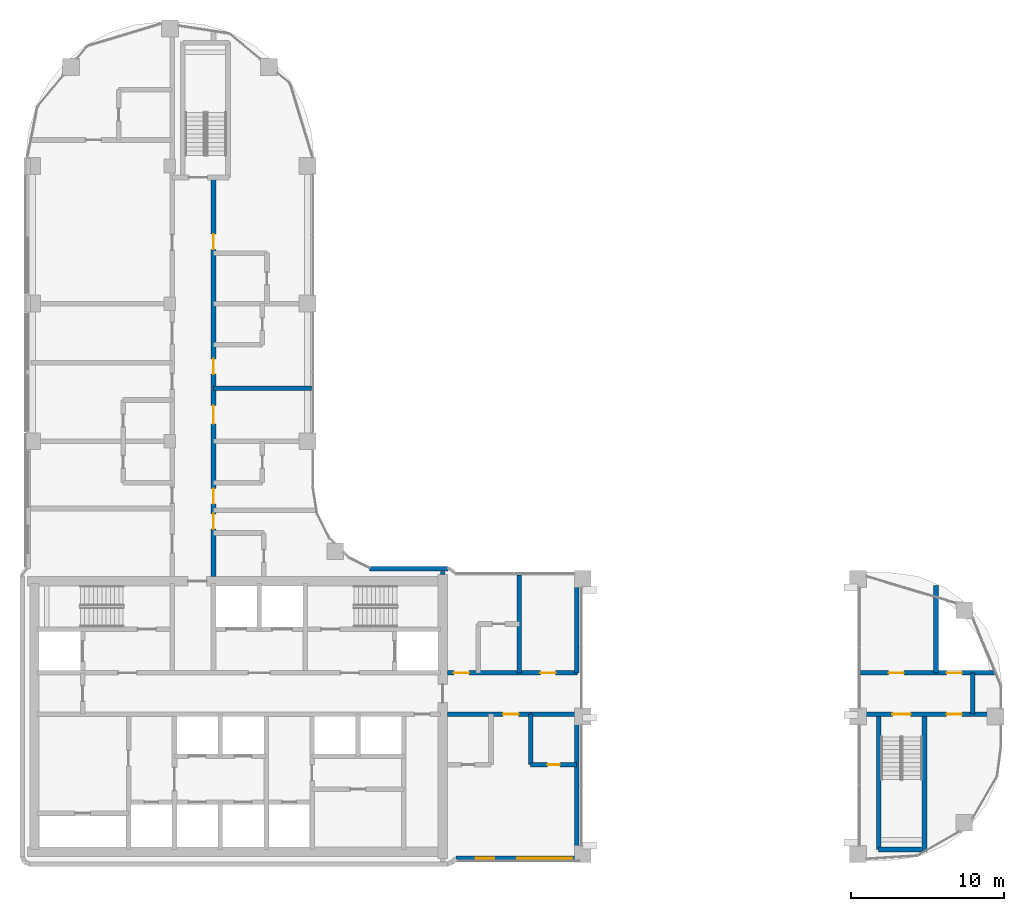
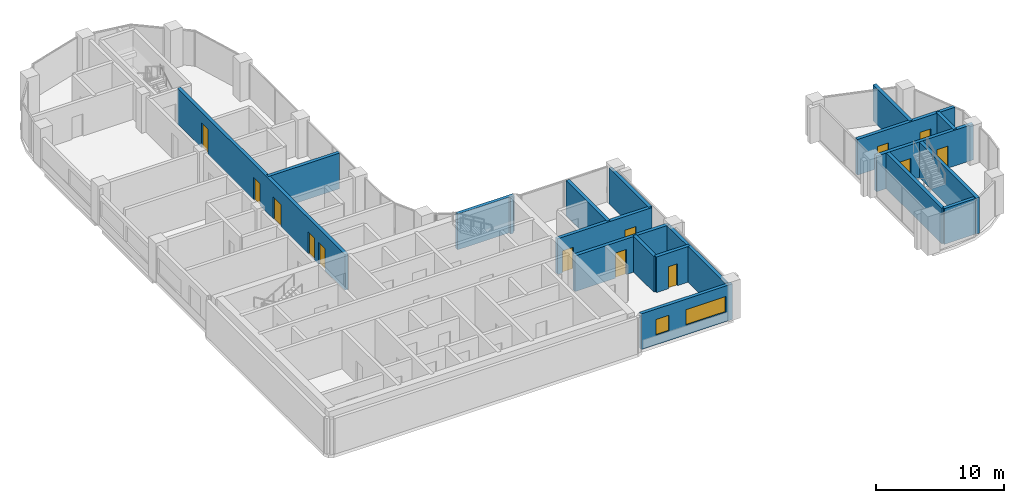
# One storey, part 12 of 21: 19 walls, 13 doors, 2 windows, 15 openings.
"""IFC4 building model written with IfcOpenShell, lengths in metres."""

import ifcopenshell
import ifcopenshell.guid

model = None  # the IFC model being written
_history = None  # IfcOwnerHistory: only IFC2X3 demands one
_inside = {}  # id of a spatial element -> (the spatial element, [elements in it])
_under = {}  # id of a project, library or spatial element -> (it, [spatial elements below it])
_declared = {}  # id of a project -> (the project, [libraries it declares])
_typed = {}  # id of a type object -> (the type object, [elements of that type])
_made_of = {}  # id of a material, layer set ... -> (it, [elements and type objects made of it])


def new_model(schema):
    """Start an empty IFC model of exactly this schema.

    Asked for "IFC4X3", IfcOpenShell would pick the latest addendum, in which some entities
    have other attributes; the version numbers below select the first issue.
    IFC2X3 requires an IfcOwnerHistory on every rooted entity: one is made here for all.
    """
    global model, _history
    if schema == "IFC4X3":
        model = ifcopenshell.file(schema_version=(4, 3, 0, 0))
    else:
        model = ifcopenshell.file(schema=schema)
    _inside.clear()
    _under.clear()
    _declared.clear()
    _typed.clear()
    _made_of.clear()
    _history = None
    if model.schema == "IFC2X3":
        org = make("IfcOrganization", Name="unknown")
        user = make(
            "IfcPersonAndOrganization",
            ThePerson=make("IfcPerson", FamilyName="unknown"),
            TheOrganization=org,
        )
        app = make(
            "IfcApplication",
            ApplicationDeveloper=org,
            Version="unknown",
            ApplicationFullName="unknown",
            ApplicationIdentifier="unknown",
        )
        _history = make(
            "IfcOwnerHistory",
            OwningUser=user,
            OwningApplication=app,
            ChangeAction="ADDED",
            CreationDate=0,
        )
    return model


def make(cls, **values):
    """One entity of the class cls with the attributes given. An attribute that is None is left unset."""
    return model.create_entity(
        cls, **{name: value for name, value in values.items() if value is not None}
    )


def rooted(cls, **values):
    """An entity with a GlobalId (a new one), such as an element, a storey or a relation."""
    return make(cls, GlobalId=ifcopenshell.guid.new(), OwnerHistory=_history, **values)


def si_unit(unit_type, name, prefix=None):
    """IfcSIUnit, for example si_unit("LENGTHUNIT", "METRE", prefix="MILLI")."""
    return make("IfcSIUnit", UnitType=unit_type, Prefix=prefix, Name=name)


def assignment(units):
    """IfcUnitAssignment: the units of a project."""
    return None if units is None else make("IfcUnitAssignment", Units=units)


def point(xyz):
    """IfcCartesianPoint."""
    return None if xyz is None else make("IfcCartesianPoint", Coordinates=xyz)


def direction(xyz):
    """IfcDirection."""
    return None if xyz is None else make("IfcDirection", DirectionRatios=xyz)


def frame(location, z_axis=None, x_axis=None):
    """IfcAxis2Placement3D, a coordinate frame: its origin and axes. An axis left out is left unset."""
    return make(
        "IfcAxis2Placement3D",
        Location=point(location),
        Axis=direction(z_axis),
        RefDirection=direction(x_axis),
    )


def frame_2d(location, x_axis=None):
    """IfcAxis2Placement2D, a coordinate frame in the plane: its origin and x axis."""
    return make(
        "IfcAxis2Placement2D", Location=point(location), RefDirection=direction(x_axis)
    )


def origin():
    """The frame at (0, 0, 0) with its axes left unset."""
    return frame((0.0, 0.0, 0.0))


def place(relative_to, where):
    """IfcLocalPlacement: puts the frame where relative to a parent placement (None: the world)."""
    return make(
        "IfcLocalPlacement", PlacementRelTo=relative_to, RelativePlacement=where
    )


def context(
    kind, dimensions, precision=None, world=None, true_north=None, identifier=None
):
    """IfcGeometricRepresentationContext, for example the 3D "Model" context."""
    return make(
        "IfcGeometricRepresentationContext",
        ContextIdentifier=identifier,
        ContextType=kind,
        CoordinateSpaceDimension=dimensions,
        Precision=precision,
        WorldCoordinateSystem=world,
        TrueNorth=true_north,
    )


def subcontext(parent, identifier, kind, view, scale=None):
    """IfcGeometricRepresentationSubContext, for example "Body" below "Model"."""
    return make(
        "IfcGeometricRepresentationSubContext",
        ContextIdentifier=identifier,
        ContextType=kind,
        ParentContext=parent,
        TargetScale=scale,
        TargetView=view,
    )


def project(units=None, contexts=None):
    """IfcProject with its units and contexts."""
    return rooted(
        "IfcProject",
        Name="project",
        RepresentationContexts=contexts,
        UnitsInContext=assignment(units),
    )


def spatial(cls, under=None, at=None, **own):
    """A site, building, storey or space (cls), placed at a placement, below another one or the project."""
    s = rooted(cls, ObjectPlacement=at, **own)
    if under is not None:
        _under.setdefault(under.id(), (under, []))[1].append(s)
    return s


def profile(cls, at=None, kind="AREA", **sizes):
    """A parametric profile (cls). Its sizes go by their IFC names, for example OverallWidth=200.0."""
    return make(cls, ProfileType=kind, Position=at, **sizes)


def rectangle(**sizes):
    """IfcRectangleProfileDef."""
    return profile("IfcRectangleProfileDef", **sizes)


def extrude(swept, where, along, depth):
    """IfcExtrudedAreaSolid: the profile swept, set in the frame where, extruded along a direction by depth."""
    return make(
        "IfcExtrudedAreaSolid",
        SweptArea=swept,
        Position=where,
        ExtrudedDirection=direction(along),
        Depth=depth,
    )


def shape(context_of_items, identifier, shape_type, items):
    """IfcShapeRepresentation: the items that make up one representation, for example the "Body"."""
    return make(
        "IfcShapeRepresentation",
        ContextOfItems=context_of_items,
        RepresentationIdentifier=identifier,
        RepresentationType=shape_type,
        Items=items,
    )


def material(Name=None, Category=None):
    """IfcMaterial."""
    return make("IfcMaterial", Name=Name, Category=Category)


def layer(
    of_material, thickness, ventilated=None, Name=None, Category=None, Priority=None
):
    """IfcMaterialLayer: one layer of a wall or slab, of a material (None: an air gap)."""
    return make(
        "IfcMaterialLayer",
        Material=of_material,
        LayerThickness=thickness,
        IsVentilated=ventilated,
        Name=Name,
        Category=Category,
        Priority=Priority,
    )


def layer_set(layers, Name=None):
    """IfcMaterialLayerSet."""
    return make("IfcMaterialLayerSet", MaterialLayers=layers, LayerSetName=Name)


def made_of(thing, what):
    """Note that an element or type object is made of a material, layer set ...; save() writes the relation."""
    if what is not None:
        _made_of.setdefault(what.id(), (what, []))[1].append(thing)
    return thing


def type_object(cls, material=None, **own):
    """A type object (cls), such as IfcWallType, which elements share."""
    return made_of(rooted(cls, **own), material)


def element(
    cls,
    number,
    at=None,
    inside=None,
    cuts=None,
    type_object=None,
    material=None,
    context=None,
    identifier="Body",
    shape_type=None,
    held_by="IfcProductDefinitionShape",
    body=None,
    shapes=None,
    **own,
):
    """One element of the class cls, such as IfcWall. Its Tag is "e" and its number.

    at: its placement. inside: the storey or other place that contains it. cuts: it is an
    opening in that element (IfcRelVoidsElement). A single representation is given by context,
    identifier, shape_type and body (its items); several are given by shapes. held_by: the class
    of the entity that holds the representations. save() writes the other relations.
    """
    e = rooted(cls, Tag="e%d" % number, ObjectPlacement=at, **own)
    if body is not None:
        shapes = [shape(context, identifier, shape_type, body)]
    if shapes is not None:
        e.Representation = make(held_by, Representations=shapes)
    if inside is not None:
        _inside.setdefault(inside.id(), (inside, []))[1].append(e)
    if cuts is not None:
        rooted(
            "IfcRelVoidsElement", RelatingBuildingElement=cuts, RelatedOpeningElement=e
        )
    if type_object is not None:
        _typed.setdefault(type_object.id(), (type_object, []))[1].append(e)
    return made_of(e, material)


def fill(opening, filler):
    """IfcRelFillsElement: the door or window that sits in an opening."""
    return rooted(
        "IfcRelFillsElement",
        RelatingOpeningElement=opening,
        RelatedBuildingElement=filler,
    )


def aggregate(whole, parts):
    """IfcRelAggregates: a whole, such as a stair, and the parts it consists of."""
    return rooted("IfcRelAggregates", RelatingObject=whole, RelatedObjects=parts)


def save(model, path):
    """Write the relations noted so far, then the file.

    IfcRelAggregates (storeys below a building ...), IfcRelContainedInSpatialStructure (elements
    in a storey), IfcRelDefinesByType, IfcRelAssociatesMaterial and IfcRelDeclares: one each for
    every whole, place, type object, material and project.
    """
    for whole, parts in _under.values():
        aggregate(whole, parts)
    for where, things in _inside.values():
        rooted(
            "IfcRelContainedInSpatialStructure",
            RelatedElements=things,
            RelatingStructure=where,
        )
    for kind, things in _typed.values():
        rooted("IfcRelDefinesByType", RelatedObjects=things, RelatingType=kind)
    for what, things in _made_of.values():
        rooted("IfcRelAssociatesMaterial", RelatedObjects=things, RelatingMaterial=what)
    for by, libraries in _declared.values():
        rooted("IfcRelDeclares", RelatingContext=by, RelatedDefinitions=libraries)
    model.write(path)


model = new_model("IFC4")

# Units and contexts
model_context = context("Model", 3, precision=1e-05, world=origin(), true_north=direction((0.0, 1.0)))
body_context = subcontext(model_context, "Body", "Model", "MODEL_VIEW")
ifc_project = project(units=[si_unit("LENGTHUNIT", "METRE"), si_unit("AREAUNIT", "SQUARE_METRE"), si_unit("VOLUMEUNIT", "CUBIC_METRE"), si_unit("PLANEANGLEUNIT", "RADIAN"), si_unit("MASSUNIT", "GRAM", prefix="KILO")], contexts=[model_context])

# Site, building, storey
site_placement = place(None, origin())
site = spatial("IfcSite", under=ifc_project, at=site_placement, CompositionType="ELEMENT")
building_placement = place(site_placement, origin())
building = spatial("IfcBuilding", under=site, at=building_placement, Name="Ogive Portal Towers", CompositionType="ELEMENT")
storey_placement = place(building_placement, frame((0.0, 0.0, 157.0)))
storey = spatial("IfcBuildingStorey", under=building, at=storey_placement, Name="L38", CompositionType="ELEMENT", Elevation=157.0)

# Wall
ifc_material_1 = material(Name="Limestone cladding on lightweight block wall", Category="masonry")
ifc_layer_1 = layer(ifc_material_1, 0.300048828125)
ifc_layer_set_1 = layer_set([ifc_layer_1], Name="EXTERNAL WALL 300 STONE")
wall_type_1 = type_object("IfcWallType", Name="EXTERNAL WALL 300 STONE", PredefinedType="SOLIDWALL", material=ifc_layer_set_1)
wall_1_placement = place(storey_placement, frame((58.673583984375, 40.14990234375, 0.0), z_axis=(0.0, 0.0, 1.0), x_axis=(-1.0, 0.0, 0.0)))
element("IfcWall", 1, at=wall_1_placement, inside=storey, type_object=wall_type_1, Name="A:L38:f01:r0:wall", PredefinedType="SOLIDWALL", context=body_context, shape_type="SweptSolid", body=[
    extrude(rectangle(XDim=5.115966796875, YDim=0.300048828125, at=frame_2d((2.55810546875, 0.0))), origin(), (0.0, 0.0, 1.0), 3.39990234375),
])

# Wall, openings, windows
wall_2_placement = place(storey_placement, frame((59.206787109375, 21.22509765625, 0.0), z_axis=(0.0, 0.0, 1.0), x_axis=(1.0, 0.0, 0.0)))
wall_2 = element("IfcWall", 2, at=wall_2_placement, inside=storey, type_object=wall_type_1, Name="A:L38:f21:r0:wall", PredefinedType="SOLIDWALL", context=body_context, shape_type="SweptSolid", body=[
    extrude(rectangle(XDim=8.213134765625, YDim=0.300048828125, at=frame_2d((4.1064453125, 0.0))), origin(), (0.0, 0.0, 1.0), 3.39990234375),
])
opening_1_placement = place(wall_2_placement, frame((1.296630859375, 0.0, 0.89990234375)))
opening_1 = element("IfcOpeningElement", 3, at=opening_1_placement, cuts=wall_2, Name="Opening WN9", PredefinedType="OPENING", context=body_context, shape_type="SweptSolid", body=[
    extrude(rectangle(XDim=1.199951171875, YDim=1.5, at=frame_2d((0.60009765625, 0.75))), frame((0.0, 0.16015625, 0.0), z_axis=(0.0, -1.0, 0.0), x_axis=(1.0, 0.0, 0.0)), (0.0, 0.0, 1.0), 0.320068359375),
])
opening_2_placement = place(wall_2_placement, frame((4.003173828125, 0.0, 0.89990234375)))
opening_2 = element("IfcOpeningElement", 4, at=opening_2_placement, cuts=wall_2, Name="Opening WN12", PredefinedType="OPENING", context=body_context, shape_type="SweptSolid", body=[
    extrude(rectangle(XDim=3.60009765625, YDim=1.5, at=frame_2d((1.800048828125, 0.75))), frame((0.0, 0.16015625, 0.0), z_axis=(0.0, -1.0, 0.0), x_axis=(1.0, 0.0, 0.0)), (0.0, 0.0, 1.0), 0.320068359375),
])
ifc_material_2 = material(Name="Glass, clear low-iron insulated glazing", Category="glass")
window_type_1 = type_object("IfcWindowType", Name="WINDOW HOTEL CASEMENT 1200x1500", PartitioningType="DOUBLE_PANEL_VERTICAL", PredefinedType="WINDOW", material=ifc_material_2)
window_1_placement = place(opening_1_placement, origin())
window_1 = element("IfcWindow", 5, at=window_1_placement, inside=storey, type_object=window_type_1, Name="A:L38:f21:r0:w0", OverallHeight=1.5, OverallWidth=1.199951171875, PartitioningType="SINGLE_PANEL", PredefinedType="WINDOW", context=body_context, shape_type="SweptSolid", body=[
    extrude(rectangle(XDim=1.199951171875, YDim=1.5, at=frame_2d((0.60009765625, 0.75))), frame((0.0, 0.030029296875, 0.0), z_axis=(0.0, -1.0, 0.0), x_axis=(1.0, 0.0, 0.0)), (0.0, 0.0, 1.0), 0.06005859375),
])
fill(opening_1, window_1)
window_type_2 = type_object("IfcWindowType", Name="WINDOW RIBBON 3600x1500", PartitioningType="TRIPLE_PANEL_VERTICAL", PredefinedType="WINDOW", material=ifc_material_2)
window_2_placement = place(opening_2_placement, origin())
window_2 = element("IfcWindow", 6, at=window_2_placement, inside=storey, type_object=window_type_2, Name="A:L38:f21:r0:w1", OverallHeight=1.5, OverallWidth=3.60009765625, PartitioningType="SINGLE_PANEL", PredefinedType="WINDOW", context=body_context, shape_type="SweptSolid", body=[
    extrude(rectangle(XDim=3.60009765625, YDim=1.5, at=frame_2d((1.800048828125, 0.75))), frame((0.0, 0.030029296875, 0.0), z_axis=(0.0, -1.0, 0.0), x_axis=(1.0, 0.0, 0.0)), (0.0, 0.0, 1.0), 0.06005859375),
])
fill(opening_2, window_2)

# Wall
ifc_material_3 = material(Name="Concrete C50/60", Category="concrete")
ifc_layer_2 = layer(ifc_material_3, 0.300048828125)
ifc_layer_set_2 = layer_set([ifc_layer_2], Name="STAIR WALL 300 C50")
wall_type_2 = type_object("IfcWallType", Name="STAIR WALL 300 C50", PredefinedType="SHEAR", material=ifc_layer_set_2)
wall_3_placement = place(storey_placement, frame((86.85009765625, 21.800048828125, 0.0), z_axis=(0.0, 0.0, 1.0), x_axis=(1.0, 0.0, 0.0)))
element("IfcWall", 7, at=wall_3_placement, inside=storey, type_object=wall_type_2, Name="Stair wall ST-A4 L38", PredefinedType="SHEAR", context=body_context, shape_type="SweptSolid", body=[
    extrude(rectangle(XDim=2.796875, YDim=0.300048828125, at=frame_2d((1.3984375, 0.0))), origin(), (0.0, 0.0, 1.0), 3.39990234375),
])

# Wall, openings, doors
wall_4_placement = place(storey_placement, frame((85.85009765625, 30.64990234375, 0.0), z_axis=(0.0, 0.0, 1.0), x_axis=(1.0, 0.0, 0.0)))
wall_4 = element("IfcWall", 8, at=wall_4_placement, inside=storey, type_object=wall_type_2, Name="Stair wall ST-A4 L38", PredefinedType="SHEAR", context=body_context, shape_type="SweptSolid", body=[
    extrude(rectangle(XDim=8.724853515625, YDim=0.300048828125, at=frame_2d((4.3623046875, 0.0))), origin(), (0.0, 0.0, 1.0), 3.39990234375),
])
opening_3_placement = place(wall_4_placement, frame((1.89990234375, 0.0, 0.0)))
opening_3 = element("IfcOpeningElement", 9, at=opening_3_placement, cuts=wall_4, Name="Opening D15-049", PredefinedType="OPENING", context=body_context, shape_type="SweptSolid", body=[
    extrude(rectangle(XDim=1.199951171875, YDim=2.10009765625, at=frame_2d((0.60009765625, 1.050048828125))), frame((0.0, 0.16015625, 0.0), z_axis=(0.0, -1.0, 0.0), x_axis=(1.0, 0.0, 0.0)), (0.0, 0.0, 1.0), 0.320068359375),
])
opening_4_placement = place(wall_4_placement, frame((5.449951171875, 0.0, 0.0)))
opening_4 = element("IfcOpeningElement", 10, at=opening_4_placement, cuts=wall_4, Name="Opening D15-052", PredefinedType="OPENING", context=body_context, shape_type="SweptSolid", body=[
    extrude(rectangle(XDim=1.0, YDim=2.10009765625, at=frame_2d((0.5, 1.050048828125))), frame((0.0, 0.16015625, 0.0), z_axis=(0.0, -1.0, 0.0), x_axis=(1.0, 0.0, 0.0)), (0.0, 0.0, 1.0), 0.320068359375),
])
ifc_material_4 = material(Name="Steel fire door", Category="steel")
door_type_1 = type_object("IfcDoorType", Name="DT-SERVICE-1000x2100-FD90S", OperationType="SINGLE_SWING_LEFT", PredefinedType="DOOR", material=ifc_material_4)
door_1_placement = place(opening_4_placement, origin())
door_1 = element("IfcDoor", 11, at=door_1_placement, inside=storey, type_object=door_type_1, Name="Door D15-052", OperationType="SINGLE_SWING_LEFT", OverallHeight=2.10009765625, OverallWidth=1.0, PredefinedType="DOOR", context=body_context, shape_type="SweptSolid", body=[
    extrude(rectangle(XDim=1.0, YDim=2.10009765625, at=frame_2d((0.5, 1.050048828125))), frame((0.0, 0.02490234375, 0.0), z_axis=(0.0, -1.0, 0.0), x_axis=(1.0, 0.0, 0.0)), (0.0, 0.0, 1.0), 0.050048828125),
])
fill(opening_4, door_1)
door_type_2 = type_object("IfcDoorType", Name="DT-STAIR-1200x2100-FD90S", OperationType="SINGLE_SWING_LEFT", PredefinedType="DOOR", material=ifc_material_4)
door_2_placement = place(opening_3_placement, origin())
door_2 = element("IfcDoor", 12, at=door_2_placement, inside=storey, type_object=door_type_2, Name="Door D15-049", OperationType="SINGLE_SWING_LEFT", OverallHeight=2.10009765625, OverallWidth=1.199951171875, PredefinedType="DOOR", context=body_context, shape_type="SweptSolid", body=[
    extrude(rectangle(XDim=1.199951171875, YDim=2.10009765625, at=frame_2d((0.60009765625, 1.050048828125))), frame((0.0, 0.02490234375, 0.0), z_axis=(0.0, -1.0, 0.0), x_axis=(1.0, 0.0, 0.0)), (0.0, 0.0, 1.0), 0.050048828125),
])
fill(opening_3, door_2)

# Walls
wall_5_placement = place(storey_placement, frame((86.85009765625, 21.800048828125, 0.0), z_axis=(0.0, 0.0, 1.0), x_axis=(0.0, 1.0, 0.0)))
element("IfcWall", 13, at=wall_5_placement, inside=storey, type_object=wall_type_2, Name="Stair wall ST-A4 L38", PredefinedType="SHEAR", context=body_context, shape_type="SweptSolid", body=[
    extrude(rectangle(XDim=8.849853515625, YDim=0.300048828125, at=frame_2d((4.4248046875, 0.0))), origin(), (0.0, 0.0, 1.0), 3.39990234375),
])
wall_6_placement = place(storey_placement, frame((89.85009765625, 21.6240234375, 0.0), z_axis=(0.0, 0.0, 1.0), x_axis=(0.0, 1.0, 0.0)))
element("IfcWall", 14, at=wall_6_placement, inside=storey, type_object=wall_type_2, Name="Stair wall ST-A4 L38", PredefinedType="SHEAR", context=body_context, shape_type="SweptSolid", body=[
    extrude(rectangle(XDim=9.02587890625, YDim=0.300048828125, at=frame_2d((4.512939453125, 0.0))), origin(), (0.0, 0.0, 1.0), 3.39990234375),
])

# Wall, opening, door
ifc_material_5 = material(Name="Gypsum board partition on steel studs", Category="steel")
ifc_layer_3 = layer(ifc_material_5, 0.300048828125)
ifc_layer_set_3 = layer_set([ifc_layer_3], Name="WT-PART-300-EI 120")
wall_type_3 = type_object("IfcWallType", Name="WT-PART-300-EI 120", PredefinedType="PARTITIONING", material=ifc_layer_set_3)
wall_7_placement = place(storey_placement, frame((58.64990234375, 30.64990234375, 0.0), z_axis=(0.0, 0.0, 1.0), x_axis=(1.0, 0.0, 0.0)))
wall_7 = element("IfcWall", 15, at=wall_7_placement, inside=storey, type_object=wall_type_3, Name="Wall L38:w004", PredefinedType="PARTITIONING", context=body_context, shape_type="SweptSolid", body=[
    extrude(rectangle(XDim=8.5, YDim=0.300048828125, at=frame_2d((4.25, 0.0))), origin(), (0.0, 0.0, 1.0), 3.39990234375),
])
opening_5_placement = place(wall_7_placement, frame((3.64990234375, 0.0, 0.0)))
opening_5 = element("IfcOpeningElement", 16, at=opening_5_placement, cuts=wall_7, Name="Opening D15-030", PredefinedType="OPENING", context=body_context, shape_type="SweptSolid", body=[
    extrude(rectangle(XDim=1.0, YDim=2.39990234375, at=frame_2d((0.5, 1.199951171875))), frame((0.0, 0.16015625, 0.0), z_axis=(0.0, -1.0, 0.0), x_axis=(1.0, 0.0, 0.0)), (0.0, 0.0, 1.0), 0.320068359375),
])
door_type_3 = type_object("IfcDoorType", Name="DT-ENTRY-1000x2400-FD90S", OperationType="SINGLE_SWING_LEFT", PredefinedType="DOOR", material=ifc_material_4)
door_3_placement = place(opening_5_placement, origin())
door_3 = element("IfcDoor", 17, at=door_3_placement, inside=storey, type_object=door_type_3, Name="Door D15-030", OperationType="SINGLE_SWING_LEFT", OverallHeight=2.39990234375, OverallWidth=1.0, PredefinedType="DOOR", context=body_context, shape_type="SweptSolid", body=[
    extrude(rectangle(XDim=1.0, YDim=2.39990234375, at=frame_2d((0.5, 1.199951171875))), frame((0.0, 0.02490234375, 0.0), z_axis=(0.0, -1.0, 0.0), x_axis=(1.0, 0.0, 0.0)), (0.0, 0.0, 1.0), 0.050048828125),
])
fill(opening_5, door_3)

# Wall, openings, doors
wall_8_placement = place(storey_placement, frame((58.64990234375, 33.35009765625, 0.0), z_axis=(0.0, 0.0, 1.0), x_axis=(1.0, 0.0, 0.0)))
wall_8 = element("IfcWall", 18, at=wall_8_placement, inside=storey, type_object=wall_type_3, Name="Wall L38:w006", PredefinedType="PARTITIONING", context=body_context, shape_type="SweptSolid", body=[
    extrude(rectangle(XDim=8.5, YDim=0.300048828125, at=frame_2d((4.25, 0.0))), origin(), (0.0, 0.0, 1.0), 3.39990234375),
])
opening_6_placement = place(wall_8_placement, frame((0.427978515625, 0.0, 0.0)))
opening_6 = element("IfcOpeningElement", 19, at=opening_6_placement, cuts=wall_8, Name="Opening D15-026", PredefinedType="OPENING", context=body_context, shape_type="SweptSolid", body=[
    extrude(rectangle(XDim=1.0, YDim=2.10009765625, at=frame_2d((0.5, 1.050048828125))), frame((0.0, 0.16015625, 0.0), z_axis=(0.0, -1.0, 0.0), x_axis=(1.0, 0.0, 0.0)), (0.0, 0.0, 1.0), 0.320068359375),
])
opening_7_placement = place(wall_8_placement, frame((6.077880859375, 0.0, 0.0)))
opening_7 = element("IfcOpeningElement", 20, at=opening_7_placement, cuts=wall_8, Name="Opening D15-027", PredefinedType="OPENING", context=body_context, shape_type="SweptSolid", body=[
    extrude(rectangle(XDim=1.0, YDim=2.10009765625, at=frame_2d((0.5, 1.050048828125))), frame((0.0, 0.16015625, 0.0), z_axis=(0.0, -1.0, 0.0), x_axis=(1.0, 0.0, 0.0)), (0.0, 0.0, 1.0), 0.320068359375),
])
door_type_4 = type_object("IfcDoorType", Name="DT-ENTRY-1000x2100-FD90S", OperationType="SINGLE_SWING_LEFT", PredefinedType="DOOR", material=ifc_material_4)
door_4_placement = place(opening_6_placement, origin())
door_4 = element("IfcDoor", 21, at=door_4_placement, inside=storey, type_object=door_type_4, Name="Door D15-026", OperationType="SINGLE_SWING_LEFT", OverallHeight=2.10009765625, OverallWidth=1.0, PredefinedType="DOOR", context=body_context, shape_type="SweptSolid", body=[
    extrude(rectangle(XDim=1.0, YDim=2.10009765625, at=frame_2d((0.5, 1.050048828125))), frame((0.0, 0.02490234375, 0.0), z_axis=(0.0, -1.0, 0.0), x_axis=(1.0, 0.0, 0.0)), (0.0, 0.0, 1.0), 0.050048828125),
])
fill(opening_6, door_4)
door_5_placement = place(opening_7_placement, origin())
door_5 = element("IfcDoor", 22, at=door_5_placement, inside=storey, type_object=door_type_4, Name="Door D15-027", OperationType="SINGLE_SWING_RIGHT", OverallHeight=2.10009765625, OverallWidth=1.0, PredefinedType="DOOR", context=body_context, shape_type="SweptSolid", body=[
    extrude(rectangle(XDim=1.0, YDim=2.10009765625, at=frame_2d((0.5, 1.050048828125))), frame((0.0, 0.02490234375, 0.0), z_axis=(0.0, -1.0, 0.0), x_axis=(1.0, 0.0, 0.0)), (0.0, 0.0, 1.0), 0.050048828125),
])
fill(opening_7, door_5)

wall_9_placement = place(storey_placement, frame((85.669921875, 33.35009765625, 0.0), z_axis=(0.0, 0.0, 1.0), x_axis=(1.0, 0.0, 0.0)))
wall_9 = element("IfcWall", 23, at=wall_9_placement, inside=storey, type_object=wall_type_3, Name="Wall L38:w007", PredefinedType="PARTITIONING", context=body_context, shape_type="SweptSolid", body=[
    extrude(rectangle(XDim=8.7900390625, YDim=0.300048828125, at=frame_2d((4.39501953125, 0.0))), origin(), (0.0, 0.0, 1.0), 3.39990234375),
])
opening_8_placement = place(wall_9_placement, frame((1.830078125, 0.0, 0.0)))
opening_8 = element("IfcOpeningElement", 24, at=opening_8_placement, cuts=wall_9, Name="Opening D15-050", PredefinedType="OPENING", context=body_context, shape_type="SweptSolid", body=[
    extrude(rectangle(XDim=1.0, YDim=2.10009765625, at=frame_2d((0.5, 1.050048828125))), frame((0.0, 0.16015625, 0.0), z_axis=(0.0, -1.0, 0.0), x_axis=(1.0, 0.0, 0.0)), (0.0, 0.0, 1.0), 0.320068359375),
])
opening_9_placement = place(wall_9_placement, frame((5.6298828125, 0.0, 0.0)))
opening_9 = element("IfcOpeningElement", 25, at=opening_9_placement, cuts=wall_9, Name="Opening D15-051", PredefinedType="OPENING", context=body_context, shape_type="SweptSolid", body=[
    extrude(rectangle(XDim=1.0, YDim=2.10009765625, at=frame_2d((0.5, 1.050048828125))), frame((0.0, 0.16015625, 0.0), z_axis=(0.0, -1.0, 0.0), x_axis=(1.0, 0.0, 0.0)), (0.0, 0.0, 1.0), 0.320068359375),
])
door_6_placement = place(opening_8_placement, origin())
door_6 = element("IfcDoor", 26, at=door_6_placement, inside=storey, type_object=door_type_1, Name="Door D15-050", OperationType="SINGLE_SWING_LEFT", OverallHeight=2.10009765625, OverallWidth=1.0, PredefinedType="DOOR", context=body_context, shape_type="SweptSolid", body=[
    extrude(rectangle(XDim=1.0, YDim=2.10009765625, at=frame_2d((0.5, 1.050048828125))), frame((0.0, 0.02490234375, 0.0), z_axis=(0.0, -1.0, 0.0), x_axis=(1.0, 0.0, 0.0)), (0.0, 0.0, 1.0), 0.050048828125),
])
fill(opening_8, door_6)
door_7_placement = place(opening_9_placement, origin())
door_7 = element("IfcDoor", 27, at=door_7_placement, inside=storey, type_object=door_type_1, Name="Riser access door D15-051", OperationType="SINGLE_SWING_RIGHT", OverallHeight=2.10009765625, OverallWidth=1.0, PredefinedType="DOOR", context=body_context, shape_type="SweptSolid", body=[
    extrude(rectangle(XDim=1.0, YDim=2.10009765625, at=frame_2d((0.5, 1.050048828125))), frame((0.0, 0.02490234375, 0.0), z_axis=(0.0, -1.0, 0.0), x_axis=(1.0, 0.0, 0.0)), (0.0, 0.0, 1.0), 0.050048828125),
])
fill(opening_9, door_7)

# Walls
wall_10_placement = place(storey_placement, frame((93.0, 30.64990234375, 0.0), z_axis=(0.0, 0.0, 1.0), x_axis=(0.0, 1.0, 0.0)))
element("IfcWall", 28, at=wall_10_placement, inside=storey, type_object=wall_type_3, Name="Wall L38:w047", PredefinedType="PARTITIONING", context=body_context, shape_type="SweptSolid", body=[
    extrude(rectangle(XDim=2.7001953125, YDim=0.300048828125, at=frame_2d((1.35009765625, 0.0))), origin(), (0.0, 0.0, 1.0), 3.39990234375),
])
wall_11_placement = place(storey_placement, frame((58.35009765625, 39.800048828125, 0.0), z_axis=(0.0, 0.0, 1.0), x_axis=(0.0, 1.0, 0.0)))
element("IfcWall", 29, at=wall_11_placement, inside=storey, type_object=wall_type_3, Name="Wall L38:wc02", PredefinedType="PARTITIONING", context=body_context, shape_type="SweptSolid", body=[
    extrude(rectangle(XDim=0.18994140625, YDim=0.300048828125, at=frame_2d((0.094970703125, 0.0))), origin(), (0.0, 0.0, 1.0), 3.39990234375),
])

# Wall, opening, door
ifc_layer_4 = layer(ifc_material_5, 0.300048828125)
ifc_layer_set_4 = layer_set([ifc_layer_4], Name="WT-PART-300-EI 60")
wall_type_4 = type_object("IfcWallType", Name="WT-PART-300-EI 60", PredefinedType="PARTITIONING", material=ifc_layer_set_4)
wall_12_placement = place(storey_placement, frame((64.10009765625, 27.35009765625, 0.0), z_axis=(0.0, 0.0, 1.0), x_axis=(1.0, 0.0, 0.0)))
wall_12 = element("IfcWall", 30, at=wall_12_placement, inside=storey, type_object=wall_type_4, Name="Wall L38:w003", PredefinedType="PARTITIONING", context=body_context, shape_type="SweptSolid", body=[
    extrude(rectangle(XDim=3.0, YDim=0.300048828125, at=frame_2d((1.5, 0.0))), origin(), (0.0, 0.0, 1.0), 3.39990234375),
])
opening_10_placement = place(wall_12_placement, frame((1.10009765625, 0.0, 0.0)))
opening_10 = element("IfcOpeningElement", 31, at=opening_10_placement, cuts=wall_12, Name="Opening D15-029", PredefinedType="OPENING", context=body_context, shape_type="SweptSolid", body=[
    extrude(rectangle(XDim=0.800048828125, YDim=2.10009765625, at=frame_2d((0.39990234375, 1.050048828125))), frame((0.0, 0.16015625, 0.0), z_axis=(0.0, -1.0, 0.0), x_axis=(1.0, 0.0, 0.0)), (0.0, 0.0, 1.0), 0.320068359375),
])
door_type_5 = type_object("IfcDoorType", Name="DT-BATH-800x2100-FD60S", OperationType="SINGLE_SWING_LEFT", PredefinedType="DOOR", material=ifc_material_4)
door_8_placement = place(opening_10_placement, origin())
door_8 = element("IfcDoor", 32, at=door_8_placement, inside=storey, type_object=door_type_5, Name="Door D15-029", OperationType="SINGLE_SWING_RIGHT", OverallHeight=2.10009765625, OverallWidth=0.800048828125, PredefinedType="DOOR", context=body_context, shape_type="SweptSolid", body=[
    extrude(rectangle(XDim=0.800048828125, YDim=2.10009765625, at=frame_2d((0.39990234375, 1.050048828125))), frame((0.0, 0.02490234375, 0.0), z_axis=(0.0, -1.0, 0.0), x_axis=(1.0, 0.0, 0.0)), (0.0, 0.0, 1.0), 0.050048828125),
])
fill(opening_10, door_8)

# Walls
for number, where, z_axis, x_axis, name in (
    (33, (43.35009765625, 51.969970703125, 0.0), (0.0, 0.0, 1.0), (1.0, 0.0, 0.0), "Wall L38:w017"),
    (34, (63.35595703125, 33.35009765625, 0.0), (0.0, 0.0, 1.0), (0.0, 1.0, 0.0), "Wall L38:w040"),
):
    element("IfcWall", number, at=place(storey_placement, frame(where, z_axis=z_axis, x_axis=x_axis)), inside=storey, type_object=wall_type_4, Name=name, PredefinedType="PARTITIONING", context=body_context, shape_type="SweptSolid", body=[
        extrude(rectangle(XDim=6.40478515625, YDim=0.300048828125, at=frame_2d((3.202392578125, 0.0))), origin(), (0.0, 0.0, 1.0), 3.39990234375),
    ])
wall_13_placement = place(storey_placement, frame((64.10009765625, 27.35009765625, 0.0), z_axis=(0.0, 0.0, 1.0), x_axis=(0.0, 1.0, 0.0)))
element("IfcWall", 35, at=wall_13_placement, inside=storey, type_object=wall_type_4, Name="Wall L38:w041", PredefinedType="PARTITIONING", context=body_context, shape_type="SweptSolid", body=[
    extrude(rectangle(XDim=3.2998046875, YDim=0.300048828125, at=frame_2d((1.64990234375, 0.0))), origin(), (0.0, 0.0, 1.0), 3.39990234375),
])
wall_14_placement = place(storey_placement, frame((67.10009765625, 21.425048828125, 0.0), z_axis=(0.0, 0.0, 1.0), x_axis=(0.0, 1.0, 0.0)))
element("IfcWall", 36, at=wall_14_placement, inside=storey, type_object=wall_type_4, Name="Wall L38:w042", PredefinedType="PARTITIONING", context=body_context, shape_type="SweptSolid", body=[
    extrude(rectangle(XDim=9.224853515625, YDim=0.300048828125, at=frame_2d((4.6123046875, 0.0))), origin(), (0.0, 0.0, 1.0), 3.39990234375),
])
wall_15_placement = place(storey_placement, frame((67.10009765625, 33.35009765625, 0.0), z_axis=(0.0, 0.0, 1.0), x_axis=(0.0, 1.0, 0.0)))
element("IfcWall", 37, at=wall_15_placement, inside=storey, type_object=wall_type_4, Name="Wall L38:w043", PredefinedType="PARTITIONING", context=body_context, shape_type="SweptSolid", body=[
    extrude(rectangle(XDim=6.224853515625, YDim=0.300048828125, at=frame_2d((3.1123046875, 0.0))), origin(), (0.0, 0.0, 1.0), 3.39990234375),
])
wall_16_placement = place(storey_placement, frame((90.60009765625, 33.35009765625, 0.0), z_axis=(0.0, 0.0, 1.0), x_axis=(0.0, 1.0, 0.0)))
element("IfcWall", 38, at=wall_16_placement, inside=storey, type_object=wall_type_4, Name="Wall L38:w046", PredefinedType="PARTITIONING", context=body_context, shape_type="SweptSolid", body=[
    extrude(rectangle(XDim=5.7158203125, YDim=0.300048828125, at=frame_2d((2.85791015625, 0.0))), origin(), (0.0, 0.0, 1.0), 3.39990234375),
])

# Wall, openings, doors
ifc_material_6 = material(Name="Concrete C40/50", Category="concrete")
ifc_layer_5 = layer(ifc_material_6, 0.300048828125)
ifc_layer_set_5 = layer_set([ifc_layer_5], Name="WT-SHAFT-300")
wall_type_5 = type_object("IfcWallType", Name="WT-SHAFT-300", PredefinedType="SOLIDWALL", material=ifc_layer_set_5)
wall_17_placement = place(storey_placement, frame((43.35009765625, 39.64990234375, 0.0), z_axis=(0.0, 0.0, 1.0), x_axis=(0.0, 1.0, 0.0)))
wall_17 = element("IfcWall", 39, at=wall_17_placement, inside=storey, type_object=wall_type_5, Name="Wall L38:w031", PredefinedType="SOLIDWALL", context=body_context, shape_type="SweptSolid", body=[
    extrude(rectangle(XDim=26.150146484375, YDim=0.300048828125, at=frame_2d((13.0751953125, 0.0))), origin(), (0.0, 0.0, 1.0), 3.39990234375),
])
opening_11_placement = place(wall_17_placement, frame((3.10009765625, 0.0, 0.0)))
opening_11 = element("IfcOpeningElement", 40, at=opening_11_placement, cuts=wall_17, Name="Opening D15-032", PredefinedType="OPENING", context=body_context, shape_type="SweptSolid", body=[
    extrude(rectangle(XDim=1.0, YDim=2.10009765625, at=frame_2d((0.5, 1.050048828125))), frame((0.0, 0.16015625, 0.0), z_axis=(0.0, -1.0, 0.0), x_axis=(1.0, 0.0, 0.0)), (0.0, 0.0, 1.0), 0.320068359375),
])
opening_12_placement = place(wall_17_placement, frame((4.75, 0.0, 0.0)))
opening_12 = element("IfcOpeningElement", 41, at=opening_12_placement, cuts=wall_17, Name="Opening D15-034", PredefinedType="OPENING", context=body_context, shape_type="SweptSolid", body=[
    extrude(rectangle(XDim=1.0, YDim=2.10009765625, at=frame_2d((0.5, 1.050048828125))), frame((0.0, 0.16015625, 0.0), z_axis=(0.0, -1.0, 0.0), x_axis=(1.0, 0.0, 0.0)), (0.0, 0.0, 1.0), 0.320068359375),
])
opening_13_placement = place(wall_17_placement, frame((9.985107421875, 0.0, 0.0)))
opening_13 = element("IfcOpeningElement", 42, at=opening_13_placement, cuts=wall_17, Name="Opening D15-038", PredefinedType="OPENING", context=body_context, shape_type="SweptSolid", body=[
    extrude(rectangle(XDim=1.199951171875, YDim=2.10009765625, at=frame_2d((0.60009765625, 1.050048828125))), frame((0.0, 0.16015625, 0.0), z_axis=(0.0, -1.0, 0.0), x_axis=(1.0, 0.0, 0.0)), (0.0, 0.0, 1.0), 0.320068359375),
])
opening_14_placement = place(wall_17_placement, frame((13.235107421875, 0.0, 0.0)))
opening_14 = element("IfcOpeningElement", 43, at=opening_14_placement, cuts=wall_17, Name="Opening D15-040", PredefinedType="OPENING", context=body_context, shape_type="SweptSolid", body=[
    extrude(rectangle(XDim=1.0, YDim=2.10009765625, at=frame_2d((0.5, 1.050048828125))), frame((0.0, 0.16015625, 0.0), z_axis=(0.0, -1.0, 0.0), x_axis=(1.0, 0.0, 0.0)), (0.0, 0.0, 1.0), 0.320068359375),
])
opening_15_placement = place(wall_17_placement, frame((21.39990234375, 0.0, 0.0)))
opening_15 = element("IfcOpeningElement", 44, at=opening_15_placement, cuts=wall_17, Name="Opening D15-045", PredefinedType="OPENING", context=body_context, shape_type="SweptSolid", body=[
    extrude(rectangle(XDim=1.0, YDim=2.39990234375, at=frame_2d((0.5, 1.199951171875))), frame((0.0, 0.16015625, 0.0), z_axis=(0.0, -1.0, 0.0), x_axis=(1.0, 0.0, 0.0)), (0.0, 0.0, 1.0), 0.320068359375),
])
door_9_placement = place(opening_11_placement, origin())
door_9 = element("IfcDoor", 45, at=door_9_placement, inside=storey, type_object=door_type_4, Name="Door D15-032", OperationType="SINGLE_SWING_RIGHT", OverallHeight=2.10009765625, OverallWidth=1.0, PredefinedType="DOOR", context=body_context, shape_type="SweptSolid", body=[
    extrude(rectangle(XDim=1.0, YDim=2.10009765625, at=frame_2d((0.5, 1.050048828125))), frame((0.0, 0.02490234375, 0.0), z_axis=(0.0, -1.0, 0.0), x_axis=(1.0, 0.0, 0.0)), (0.0, 0.0, 1.0), 0.050048828125),
])
fill(opening_11, door_9)
door_10_placement = place(opening_12_placement, origin())
door_10 = element("IfcDoor", 46, at=door_10_placement, inside=storey, type_object=door_type_4, Name="Door D15-034", OperationType="SINGLE_SWING_LEFT", OverallHeight=2.10009765625, OverallWidth=1.0, PredefinedType="DOOR", context=body_context, shape_type="SweptSolid", body=[
    extrude(rectangle(XDim=1.0, YDim=2.10009765625, at=frame_2d((0.5, 1.050048828125))), frame((0.0, 0.02490234375, 0.0), z_axis=(0.0, -1.0, 0.0), x_axis=(1.0, 0.0, 0.0)), (0.0, 0.0, 1.0), 0.050048828125),
])
fill(opening_12, door_10)
door_11_placement = place(opening_14_placement, origin())
door_11 = element("IfcDoor", 47, at=door_11_placement, inside=storey, type_object=door_type_4, Name="Door D15-040", OperationType="SINGLE_SWING_LEFT", OverallHeight=2.10009765625, OverallWidth=1.0, PredefinedType="DOOR", context=body_context, shape_type="SweptSolid", body=[
    extrude(rectangle(XDim=1.0, YDim=2.10009765625, at=frame_2d((0.5, 1.050048828125))), frame((0.0, 0.02490234375, 0.0), z_axis=(0.0, -1.0, 0.0), x_axis=(1.0, 0.0, 0.0)), (0.0, 0.0, 1.0), 0.050048828125),
])
fill(opening_14, door_11)
door_12_placement = place(opening_15_placement, origin())
door_12 = element("IfcDoor", 48, at=door_12_placement, inside=storey, type_object=door_type_3, Name="Door D15-045", OperationType="SINGLE_SWING_LEFT", OverallHeight=2.39990234375, OverallWidth=1.0, PredefinedType="DOOR", context=body_context, shape_type="SweptSolid", body=[
    extrude(rectangle(XDim=1.0, YDim=2.39990234375, at=frame_2d((0.5, 1.199951171875))), frame((0.0, 0.02490234375, 0.0), z_axis=(0.0, -1.0, 0.0), x_axis=(1.0, 0.0, 0.0)), (0.0, 0.0, 1.0), 0.050048828125),
])
fill(opening_15, door_12)
door_type_6 = type_object("IfcDoorType", Name="DT-ENTRY-1200x2100-FD90S", OperationType="SINGLE_SWING_LEFT", PredefinedType="DOOR", material=ifc_material_4)
door_13_placement = place(opening_13_placement, origin())
door_13 = element("IfcDoor", 49, at=door_13_placement, inside=storey, type_object=door_type_6, Name="Door D15-038", OperationType="SINGLE_SWING_LEFT", OverallHeight=2.10009765625, OverallWidth=1.199951171875, PredefinedType="DOOR", context=body_context, shape_type="SweptSolid", body=[
    extrude(rectangle(XDim=1.199951171875, YDim=2.10009765625, at=frame_2d((0.60009765625, 1.050048828125))), frame((0.0, 0.02490234375, 0.0), z_axis=(0.0, -1.0, 0.0), x_axis=(1.0, 0.0, 0.0)), (0.0, 0.0, 1.0), 0.050048828125),
])
fill(opening_13, door_13)

save(model, "model.ifc")
